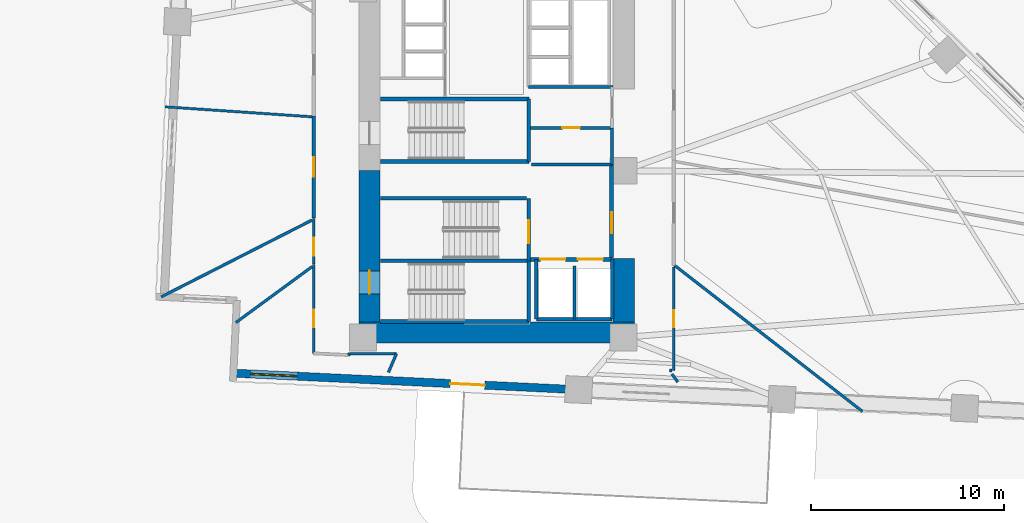
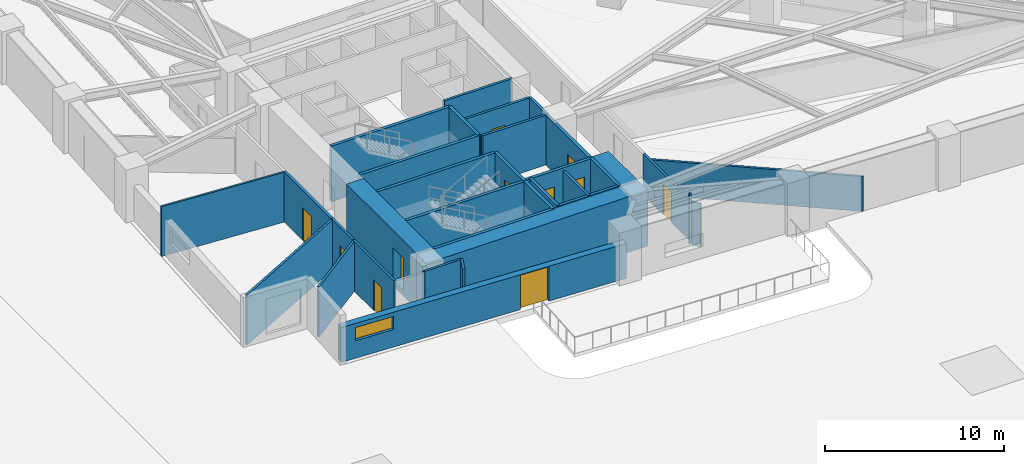
# One storey, part 14 of 19: 35 walls, 11 doors, 1 window, 12 openings.
"""IFC4 building model written with IfcOpenShell, lengths in metres."""

from ifc_helpers import new_model, si_unit, direction, frame, frame_2d, origin, place, context, subcontext, project, spatial, rectangle, extrude, material, layer, layer_set, type_object, element, fill, save


model = new_model("IFC4")

# Units and contexts
model_context = context("Model", 3, precision=1e-05, world=origin(), true_north=direction((0.0, 1.0)))
body_context = subcontext(model_context, "Body", "Model", "MODEL_VIEW")
ifc_project = project(units=[si_unit("LENGTHUNIT", "METRE"), si_unit("AREAUNIT", "SQUARE_METRE"), si_unit("VOLUMEUNIT", "CUBIC_METRE"), si_unit("PLANEANGLEUNIT", "RADIAN"), si_unit("MASSUNIT", "GRAM", prefix="KILO")], contexts=[model_context])

# Site, building, storey
site_placement = place(None, origin())
site = spatial("IfcSite", under=ifc_project, at=site_placement, CompositionType="ELEMENT")
building_placement = place(site_placement, origin())
building = spatial("IfcBuilding", under=site, at=building_placement, Name="Narakoshi Arena Tower", CompositionType="ELEMENT")
storey_placement = place(building_placement, frame((0.0, 0.0, 26.699951171875)))
storey = spatial("IfcBuildingStorey", under=building, at=storey_placement, Name="L06", CompositionType="ELEMENT", Elevation=26.699951171875)

# Wall, opening, door
ifc_material_1 = material(Name="Concrete C60/75", Category="concrete")
ifc_layer_1 = layer(ifc_material_1, 1.10009765625)
ifc_layer_set_1 = layer_set([ifc_layer_1], Name="Concrete C60/75")
wall_type_1 = type_object("IfcWallType", Name="WL-CORE-1100", PredefinedType="SHEAR", material=ifc_layer_set_1)
wall_1_placement = place(storey_placement, frame((72.35009765625, 35.5, -0.39990234375), z_axis=(0.0, 0.0, 1.0), x_axis=(0.0, 1.0, 0.0)))
wall_1 = element("IfcWall", 1, at=wall_1_placement, inside=storey, type_object=wall_type_1, Name="L06 Central Core Shear Wall CW-APX-W", PredefinedType="SHEAR", context=body_context, shape_type="SweptSolid", body=[
    extrude(rectangle(XDim=7.85009765625, YDim=1.10009765625, at=frame_2d((3.925048828125, 0.0))), origin(), (0.0, 0.0, 1.0), 3.800048828125),
])
opening_1_placement = place(wall_1_placement, frame((1.449951171875, 0.0, 0.39990234375)))
opening_1 = element("IfcOpeningElement", 2, at=opening_1_placement, cuts=wall_1, Name="Opening D-03", PredefinedType="OPENING", context=body_context, shape_type="SweptSolid", body=[
    extrude(rectangle(XDim=1.199951171875, YDim=2.199951171875, at=frame_2d((0.60009765625, 1.10009765625))), frame((0.0, 0.56005859375, 0.0), z_axis=(0.0, -1.0, 0.0), x_axis=(1.0, 0.0, 0.0)), (0.0, 0.0, 1.0), 1.1201171875),
])
ifc_material_2 = material(Name="Painted galvanized steel", Category="steel")
door_type_1 = type_object("IfcDoorType", Name="DR-STR-1200", OperationType="NOTDEFINED", PredefinedType="USERDEFINED", material=ifc_material_2)
door_1_placement = place(opening_1_placement, frame((1.199951171875, 0.0, 0.0), z_axis=(0.0, 0.0, 1.0), x_axis=(-1.0, 0.0, 0.0)))
door_1 = element("IfcDoor", 3, at=door_1_placement, inside=storey, type_object=door_type_1, Name="DR-L06-002", ObjectType="EXITDOOR", OperationType="SINGLE_SWING_LEFT", OverallHeight=2.199951171875, OverallWidth=1.199951171875, PredefinedType="USERDEFINED", context=body_context, shape_type="SweptSolid", body=[
    extrude(rectangle(XDim=1.199951171875, YDim=2.199951171875, at=frame_2d((0.60009765625, 1.10009765625))), frame((0.0, 0.02490234375, 0.0), z_axis=(0.0, -1.0, 0.0), x_axis=(1.0, 0.0, 0.0)), (0.0, 0.0, 1.0), 0.050048828125),
])
fill(opening_1, door_1)

# Walls
wall_2_placement = place(storey_placement, frame((71.800048828125, 34.949951171875, -0.39990234375), z_axis=(0.0, 0.0, 1.0), x_axis=(1.0, 0.0, 0.0)))
element("IfcWall", 4, at=wall_2_placement, inside=storey, type_object=wall_type_1, Name="L06 Central Core Shear Wall CW-APX-S", PredefinedType="SHEAR", context=body_context, shape_type="SweptSolid", body=[
    extrude(rectangle(XDim=14.300048828125, YDim=1.10009765625, at=frame_2d((7.14990234375, 0.0))), origin(), (0.0, 0.0, 1.0), 3.800048828125),
])
wall_3_placement = place(storey_placement, frame((85.550048828125, 35.5, -0.39990234375), z_axis=(0.0, 0.0, 1.0), x_axis=(0.0, 1.0, 0.0)))
element("IfcWall", 5, at=wall_3_placement, inside=storey, type_object=wall_type_1, Name="L06 Central Core Shear Wall CW-APX-E", PredefinedType="SHEAR", context=body_context, shape_type="SweptSolid", body=[
    extrude(rectangle(XDim=3.300048828125, YDim=1.10009765625, at=frame_2d((1.64990234375, 0.0))), origin(), (0.0, 0.0, 1.0), 3.800048828125),
])

# Wall, opening, door
ifc_material_3 = material(Name="Gypsum plasterboard fire-rated partition")
ifc_layer_2 = layer(ifc_material_3, 0.1650390625)
ifc_layer_set_2 = layer_set([ifc_layer_2], Name="Gypsum plasterboard fire-rated partition")
wall_type_2 = type_object("IfcWallType", Name="WL-CORR-165", PredefinedType="PARTITIONING", material=ifc_layer_set_2)
wall_4_placement = place(storey_placement, frame((69.449951171875, 46.18115234375, 0.0), z_axis=(0.0, 0.0, 1.0), x_axis=(0.0, -1.0, 0.0)))
wall_4 = element("IfcWall", 6, at=wall_4_placement, inside=storey, type_object=wall_type_2, Name="L06 Corridor Partition 08-1", PredefinedType="PARTITIONING", context=body_context, shape_type="SweptSolid", body=[
    extrude(rectangle(XDim=5.283447265625, YDim=0.1650390625, at=frame_2d((2.6416015625, 0.0))), origin(), (0.0, 0.0, 1.0), 3.400146484375),
])
opening_2_placement = place(wall_4_placement, frame((2.1416015625, 0.0, 0.0)))
opening_2 = element("IfcOpeningElement", 7, at=opening_2_placement, cuts=wall_4, Name="Opening D-06", PredefinedType="OPENING", context=body_context, shape_type="SweptSolid", body=[
    extrude(rectangle(XDim=1.0, YDim=2.199951171875, at=frame_2d((0.5, 1.10009765625))), frame((0.0, 0.092529296875, 0.0), z_axis=(0.0, -1.0, 0.0), x_axis=(1.0, 0.0, 0.0)), (0.0, 0.0, 1.0), 0.18505859375),
])
ifc_material_4 = material(Name="Stained oak solid-core timber", Category="wood")
door_type_2 = type_object("IfcDoorType", Name="DR-OFF-1000", OperationType="NOTDEFINED", PredefinedType="DOOR", material=ifc_material_4)
door_2_placement = place(opening_2_placement, frame((1.0, 0.0, 0.0), z_axis=(0.0, 0.0, 1.0), x_axis=(-1.0, 0.0, 0.0)))
door_2 = element("IfcDoor", 8, at=door_2_placement, inside=storey, type_object=door_type_2, Name="DR-L06-021", OperationType="SINGLE_SWING_LEFT", OverallHeight=2.199951171875, OverallWidth=1.0, PredefinedType="DOOR", context=body_context, shape_type="SweptSolid", body=[
    extrude(rectangle(XDim=1.0, YDim=2.199951171875, at=frame_2d((0.5, 1.10009765625))), frame((0.0, 0.02490234375, 0.0), z_axis=(0.0, -1.0, 0.0), x_axis=(1.0, 0.0, 0.0)), (0.0, 0.0, 1.0), 0.050048828125),
])
fill(opening_2, door_2)

# Wall
ifc_layer_3 = layer(ifc_material_3, 0.125)
ifc_layer_set_3 = layer_set([ifc_layer_3], Name="Gypsum plasterboard fire-rated partition")
wall_type_3 = type_object("IfcWallType", Name="WL-PART-125", PredefinedType="PARTITIONING", material=ifc_layer_set_3)
wall_5_placement = place(storey_placement, frame((61.739990234375, 46.6689453125, 0.0), z_axis=(0.0, 0.0, 1.0), x_axis=(0.997700583313, -0.067775704037, 0.0)))
element("IfcWall", 9, at=wall_5_placement, inside=storey, type_object=wall_type_3, Name="L06 Inter-Room Partition 08-09", PredefinedType="PARTITIONING", context=body_context, shape_type="SweptSolid", body=[
    extrude(rectangle(XDim=7.633056640625, YDim=0.125, at=frame_2d((3.81640625, 0.0))), origin(), (0.0, 0.0, 1.0), 3.400146484375),
])

# Wall, openings, door, window
ifc_material_5 = material(Name="Precast concrete C45/55", Category="concrete")
ifc_layer_4 = layer(ifc_material_5, 0.419921875)
ifc_layer_set_4 = layer_set([ifc_layer_4], Name="Precast concrete C45/55")
wall_type_4 = type_object("IfcWallType", Name="WL-POD-420", PredefinedType="SOLIDWALL", material=ifc_layer_set_4)
wall_6_placement = place(storey_placement, frame((65.28076171875, 32.840576171875, 0.0), z_axis=(0.0, 0.0, 1.0), x_axis=(0.998848298084, -0.047979968897, 0.0)))
wall_6 = element("IfcWall", 10, at=wall_6_placement, inside=storey, type_object=wall_type_4, Name="L06 Architectural Concrete Facade Wall LEGA-1", PredefinedType="SOLIDWALL", context=body_context, shape_type="SweptSolid", body=[
    extrude(rectangle(XDim=17.951904296875, YDim=0.419921875, at=frame_2d((8.97607421875, 0.0))), origin(), (0.0, 0.0, 1.0), 2.385009765625),
])
opening_3_placement = place(wall_6_placement, frame((11.27587890625, 0.0, 0.0)))
opening_3 = element("IfcOpeningElement", 11, at=opening_3_placement, cuts=wall_6, Name="Opening D-11", PredefinedType="OPENING", context=body_context, shape_type="SweptSolid", body=[
    extrude(rectangle(XDim=1.800048828125, YDim=2.35009765625, at=frame_2d((0.89990234375, 1.175048828125))), frame((0.0, 0.219970703125, 0.0), z_axis=(0.0, -1.0, 0.0), x_axis=(1.0, 0.0, 0.0)), (0.0, 0.0, 1.0), 0.43994140625),
])
opening_4_placement = place(wall_6_placement, frame((0.89990234375, 0.0, 1.199951171875)))
opening_4 = element("IfcOpeningElement", 12, at=opening_4_placement, cuts=wall_6, Name="Opening WN-01", PredefinedType="OPENING", context=body_context, shape_type="SweptSolid", body=[
    extrude(rectangle(XDim=2.39990234375, YDim=0.89990234375, at=frame_2d((1.199951171875, 0.449951171875))), frame((0.0, 0.219970703125, 0.0), z_axis=(0.0, -1.0, 0.0), x_axis=(1.0, 0.0, 0.0)), (0.0, 0.0, 1.0), 0.43994140625),
])
ifc_material_6 = material(Name="Anodised bronze aluminium 6063-T6", Category="aluminium")
door_type_3 = type_object("IfcDoorType", Name="DR-TER-1800", OperationType="DOUBLE_DOOR_SLIDING", PredefinedType="DOOR", material=ifc_material_6)
door_3_placement = place(opening_3_placement, origin())
door_3 = element("IfcDoor", 13, at=door_3_placement, inside=storey, type_object=door_type_3, Name="DR-L06-001", OperationType="DOUBLE_DOOR_SLIDING", OverallHeight=2.35009765625, OverallWidth=1.800048828125, PredefinedType="DOOR", context=body_context, shape_type="SweptSolid", body=[
    extrude(rectangle(XDim=1.800048828125, YDim=2.35009765625, at=frame_2d((0.89990234375, 1.175048828125))), frame((0.0, 0.02490234375, 0.0), z_axis=(0.0, -1.0, 0.0), x_axis=(1.0, 0.0, 0.0)), (0.0, 0.0, 1.0), 0.050048828125),
])
fill(opening_3, door_3)
ifc_material_7 = material(Name="Bronze-tinted low-E laminated glass", Category="glass")
window_type = type_object("IfcWindowType", Name="WIN-SLT-24x09", PartitioningType="SINGLE_PANEL", PredefinedType="WINDOW", material=ifc_material_7)
window_placement = place(opening_4_placement, origin())
window = element("IfcWindow", 14, at=window_placement, inside=storey, type_object=window_type, Name="L06 LEGA1 Horizontal Slot Window 1", OverallHeight=0.89990234375, OverallWidth=2.39990234375, PartitioningType="SINGLE_PANEL", PredefinedType="WINDOW", context=body_context, shape_type="SweptSolid", body=[
    extrude(rectangle(XDim=2.39990234375, YDim=0.89990234375, at=frame_2d((1.199951171875, 0.449951171875))), frame((0.0, 0.030029296875, 0.0), z_axis=(0.0, -1.0, 0.0), x_axis=(1.0, 0.0, 0.0)), (0.0, 0.0, 1.0), 0.06005859375),
])
fill(opening_4, window)

# Walls
ifc_material_8 = material(Name="Concrete C40/50", Category="concrete")
ifc_layer_5 = layer(ifc_material_8, 0.280029296875)
ifc_layer_set_5 = layer_set([ifc_layer_5], Name="Concrete C40/50")
wall_type_5 = type_object("IfcWallType", Name="WL-RISER-280", PredefinedType="PLUMBINGWALL", material=ifc_layer_set_5)
wall_7_placement = place(storey_placement, frame((83.0, 35.64990234375, 0.0), z_axis=(0.0, 0.0, 1.0), x_axis=(0.0, 1.0, 0.0)))
element("IfcWall", 15, at=wall_7_placement, inside=storey, type_object=wall_type_5, Name="L06 Core Wall FF-DIV", PredefinedType="PLUMBINGWALL", context=body_context, shape_type="SweptSolid", body=[
    extrude(rectangle(XDim=2.75, YDim=0.159912109375, at=frame_2d((1.375, 0.0))), origin(), (0.0, 0.0, 1.0), 3.400146484375),
])
wall_8_placement = place(storey_placement, frame((84.949951171875, 43.679931640625, 0.0), z_axis=(0.0, 0.0, 1.0), x_axis=(0.0, 1.0, 0.0)))
element("IfcWall", 16, at=wall_8_placement, inside=storey, type_object=wall_type_5, Name="L06 Core Wall RSR-E", PredefinedType="PLUMBINGWALL", context=body_context, shape_type="SweptSolid", body=[
    extrude(rectangle(XDim=1.900146484375, YDim=0.1650390625, at=frame_2d((0.9501953125, 0.0))), origin(), (0.0, 0.0, 1.0), 3.400146484375),
])

# Wall, opening, door
wall_9_placement = place(storey_placement, frame((80.719970703125, 45.580078125, 0.0), z_axis=(0.0, 0.0, 1.0), x_axis=(1.0, 0.0, 0.0)))
wall_9 = element("IfcWall", 17, at=wall_9_placement, inside=storey, type_object=wall_type_5, Name="L06 Core Wall RSR-N", PredefinedType="PLUMBINGWALL", context=body_context, shape_type="SweptSolid", body=[
    extrude(rectangle(XDim=4.22998046875, YDim=0.159912109375, at=frame_2d((2.114990234375, 0.0))), origin(), (0.0, 0.0, 1.0), 3.400146484375),
])
opening_5_placement = place(wall_9_placement, frame((1.64990234375, 0.0, 0.0)))
opening_5 = element("IfcOpeningElement", 18, at=opening_5_placement, cuts=wall_9, Name="Opening D-08", PredefinedType="OPENING", context=body_context, shape_type="SweptSolid", body=[
    extrude(rectangle(XDim=0.89990234375, YDim=2.10009765625, at=frame_2d((0.449951171875, 1.050048828125))), frame((0.0, 0.08984375, 0.0), z_axis=(0.0, -1.0, 0.0), x_axis=(1.0, 0.0, 0.0)), (0.0, 0.0, 1.0), 0.179931640625),
])
ifc_material_9 = material(Name="Moisture-resistant laminate timber", Category="wood")
door_type_4 = type_object("IfcDoorType", Name="DR-WC-900", OperationType="NOTDEFINED", PredefinedType="DOOR", material=ifc_material_9)
door_4_placement = place(opening_5_placement, frame((0.89990234375, 0.0, 0.0), z_axis=(0.0, 0.0, 1.0), x_axis=(-1.0, 0.0, 0.0)))
door_4 = element("IfcDoor", 19, at=door_4_placement, inside=storey, type_object=door_type_4, Name="DR-L06-009", OperationType="SINGLE_SWING_LEFT", OverallHeight=2.10009765625, OverallWidth=0.89990234375, PredefinedType="DOOR", context=body_context, shape_type="SweptSolid", body=[
    extrude(rectangle(XDim=0.89990234375, YDim=2.10009765625, at=frame_2d((0.449951171875, 1.050048828125))), frame((0.0, 0.02490234375, 0.0), z_axis=(0.0, -1.0, 0.0), x_axis=(1.0, 0.0, 0.0)), (0.0, 0.0, 1.0), 0.050048828125),
])
fill(opening_5, door_4)

# Walls
wall_10_placement = place(storey_placement, frame((80.760009765625, 43.679931640625, 0.0), z_axis=(0.0, 0.0, 1.0), x_axis=(1.0, 0.0, 0.0)))
element("IfcWall", 20, at=wall_10_placement, inside=storey, type_object=wall_type_5, Name="L06 Core Wall RSR-S", PredefinedType="PLUMBINGWALL", context=body_context, shape_type="SweptSolid", body=[
    extrude(rectangle(XDim=4.18994140625, YDim=0.159912109375, at=frame_2d((2.094970703125, 0.0))), origin(), (0.0, 0.0, 1.0), 3.400146484375),
])
ifc_material_10 = material(Name="Concrete C50/60", Category="concrete")
ifc_layer_6 = layer(ifc_material_10, 0.35009765625)
ifc_layer_set_6 = layer_set([ifc_layer_6], Name="Concrete C50/60")
wall_type_6 = type_object("IfcWallType", Name="WL-SHAFT-350", PredefinedType="SOLIDWALL", material=ifc_layer_set_6)
for number, where, z_axis, x_axis, name in (
    (21, (72.919921875, 35.52001953125, -0.39990234375), (0.0, 0.0, 1.0), (1.0, 0.0, 0.0), "L06 Core Wall ST1-S"),
    (22, (72.919921875, 38.675048828125, -0.39990234375), (0.0, 0.0, 1.0), (1.0, 0.0, 0.0), "L06 Core Wall ST12-DIV"),
):
    element("IfcWall", number, at=place(storey_placement, frame(where, z_axis=z_axis, x_axis=x_axis)), inside=storey, type_object=wall_type_6, Name=name, PredefinedType="SOLIDWALL", context=body_context, shape_type="SweptSolid", body=[
        extrude(rectangle(XDim=7.7001953125, YDim=0.199951171875, at=frame_2d((3.85009765625, 0.0))), origin(), (0.0, 0.0, 1.0), 3.800048828125),
    ])
wall_11_placement = place(storey_placement, frame((80.6201171875, 35.52001953125, -0.39990234375), z_axis=(0.0, 0.0, 1.0), x_axis=(0.0, 1.0, 0.0)))
element("IfcWall", 23, at=wall_11_placement, inside=storey, type_object=wall_type_6, Name="L06 Core Wall ST1-E", PredefinedType="SOLIDWALL", context=body_context, shape_type="SweptSolid", body=[
    extrude(rectangle(XDim=3.155029296875, YDim=0.199951171875, at=frame_2d((1.57763671875, 0.0))), origin(), (0.0, 0.0, 1.0), 3.800048828125),
])

# Wall, opening, door
wall_12_placement = place(storey_placement, frame((80.6201171875, 38.675048828125, -0.39990234375), z_axis=(0.0, 0.0, 1.0), x_axis=(0.0, 1.0, 0.0)))
wall_12 = element("IfcWall", 24, at=wall_12_placement, inside=storey, type_object=wall_type_6, Name="L06 Core Wall ST2-E", PredefinedType="SOLIDWALL", context=body_context, shape_type="SweptSolid", body=[
    extrude(rectangle(XDim=3.244873046875, YDim=0.199951171875, at=frame_2d((1.62255859375, 0.0))), origin(), (0.0, 0.0, 1.0), 3.800048828125),
])
opening_6_placement = place(wall_12_placement, frame((0.89990234375, 0.0, 0.39990234375)))
opening_6 = element("IfcOpeningElement", 25, at=opening_6_placement, cuts=wall_12, Name="Opening D-03", PredefinedType="OPENING", context=body_context, shape_type="SweptSolid", body=[
    extrude(rectangle(XDim=1.199951171875, YDim=2.199951171875, at=frame_2d((0.60009765625, 1.10009765625))), frame((0.0, 0.10986328125, 0.0), z_axis=(0.0, -1.0, 0.0), x_axis=(1.0, 0.0, 0.0)), (0.0, 0.0, 1.0), 0.219970703125),
])
door_5_placement = place(opening_6_placement, origin())
door_5 = element("IfcDoor", 26, at=door_5_placement, inside=storey, type_object=door_type_1, Name="DR-L06-003", ObjectType="EXITDOOR", OperationType="SINGLE_SWING_RIGHT", OverallHeight=2.199951171875, OverallWidth=1.199951171875, PredefinedType="USERDEFINED", context=body_context, shape_type="SweptSolid", body=[
    extrude(rectangle(XDim=1.199951171875, YDim=2.199951171875, at=frame_2d((0.60009765625, 1.10009765625))), frame((0.0, 0.02490234375, 0.0), z_axis=(0.0, -1.0, 0.0), x_axis=(1.0, 0.0, 0.0)), (0.0, 0.0, 1.0), 0.050048828125),
])
fill(opening_6, door_5)

# Wall, openings, doors
wall_13_placement = place(storey_placement, frame((80.719970703125, 38.75, 0.0), z_axis=(0.0, 0.0, 1.0), x_axis=(1.0, 0.0, 0.0)))
wall_13 = element("IfcWall", 27, at=wall_13_placement, inside=storey, type_object=wall_type_6, Name="L06 Core Wall FF-N", PredefinedType="SOLIDWALL", context=body_context, shape_type="SweptSolid", body=[
    extrude(rectangle(XDim=4.260009765625, YDim=0.199951171875, at=frame_2d((2.1298828125, 0.0))), origin(), (0.0, 0.0, 1.0), 3.400146484375),
])
opening_7_placement = place(wall_13_placement, frame((0.5, 0.0, 0.0)))
opening_7 = element("IfcOpeningElement", 28, at=opening_7_placement, cuts=wall_13, Name="Opening LD-02", PredefinedType="OPENING", context=body_context, shape_type="SweptSolid", body=[
    extrude(rectangle(XDim=1.300048828125, YDim=2.300048828125, at=frame_2d((0.64990234375, 1.14990234375))), frame((0.0, 0.10986328125, 0.0), z_axis=(0.0, -1.0, 0.0), x_axis=(1.0, 0.0, 0.0)), (0.0, 0.0, 1.0), 0.219970703125),
])
opening_8_placement = place(wall_13_placement, frame((2.449951171875, 0.0, 0.0)))
opening_8 = element("IfcOpeningElement", 29, at=opening_8_placement, cuts=wall_13, Name="Opening LD-02", PredefinedType="OPENING", context=body_context, shape_type="SweptSolid", body=[
    extrude(rectangle(XDim=1.300048828125, YDim=2.300048828125, at=frame_2d((0.64990234375, 1.14990234375))), frame((0.0, 0.10986328125, 0.0), z_axis=(0.0, -1.0, 0.0), x_axis=(1.0, 0.0, 0.0)), (0.0, 0.0, 1.0), 0.219970703125),
])
ifc_material_11 = material(Name="Brushed bronze stainless steel", Category="steel")
door_type_5 = type_object("IfcDoorType", Name="DR-LFT-1300", OperationType="DOUBLE_DOOR_SLIDING", PredefinedType="DOOR", material=ifc_material_11)
door_6_placement = place(opening_7_placement, origin())
door_6 = element("IfcDoor", 30, at=door_6_placement, inside=storey, type_object=door_type_5, Name="DR-L06-004", OperationType="DOUBLE_DOOR_SLIDING", OverallHeight=2.300048828125, OverallWidth=1.300048828125, PredefinedType="DOOR", context=body_context, shape_type="SweptSolid", body=[
    extrude(rectangle(XDim=1.300048828125, YDim=2.300048828125, at=frame_2d((0.64990234375, 1.14990234375))), frame((0.0, 0.02490234375, 0.0), z_axis=(0.0, -1.0, 0.0), x_axis=(1.0, 0.0, 0.0)), (0.0, 0.0, 1.0), 0.050048828125),
])
fill(opening_7, door_6)
door_7_placement = place(opening_8_placement, origin())
door_7 = element("IfcDoor", 31, at=door_7_placement, inside=storey, type_object=door_type_5, Name="DR-L06-005", OperationType="DOUBLE_DOOR_SLIDING", OverallHeight=2.300048828125, OverallWidth=1.300048828125, PredefinedType="DOOR", context=body_context, shape_type="SweptSolid", body=[
    extrude(rectangle(XDim=1.300048828125, YDim=2.300048828125, at=frame_2d((0.64990234375, 1.14990234375))), frame((0.0, 0.02490234375, 0.0), z_axis=(0.0, -1.0, 0.0), x_axis=(1.0, 0.0, 0.0)), (0.0, 0.0, 1.0), 0.050048828125),
])
fill(opening_8, door_7)

# Walls
for number, where, z_axis, x_axis, name in (
    (32, (84.949951171875, 35.64990234375, 0.0), (0.0, 0.0, 1.0), (0.0, 1.0, 0.0), "L06 Core Wall FF-E"),
    (33, (81.02001953125, 35.64990234375, 0.0), (0.0, 0.0, 1.0), (0.0, 1.0, 0.0), "L06 Core Wall FF-W"),
):
    element("IfcWall", number, at=place(storey_placement, frame(where, z_axis=z_axis, x_axis=x_axis)), inside=storey, type_object=wall_type_6, Name=name, PredefinedType="SOLIDWALL", context=body_context, shape_type="SweptSolid", body=[
        extrude(rectangle(XDim=3.10009765625, YDim=0.179931640625, at=frame_2d((1.550048828125, 0.0))), origin(), (0.0, 0.0, 1.0), 3.400146484375),
    ])
wall_14_placement = place(storey_placement, frame((81.02001953125, 35.64990234375, 0.0), z_axis=(0.0, 0.0, 1.0), x_axis=(1.0, 0.0, 0.0)))
element("IfcWall", 34, at=wall_14_placement, inside=storey, type_object=wall_type_6, Name="L06 Core Wall FF-S", PredefinedType="SOLIDWALL", context=body_context, shape_type="SweptSolid", body=[
    extrude(rectangle(XDim=3.929931640625, YDim=0.179931640625, at=frame_2d((1.96484375, 0.0))), origin(), (0.0, 0.0, 1.0), 3.400146484375),
])

# Wall, opening, door
wall_15_placement = place(storey_placement, frame((84.919921875, 38.85009765625, 0.0), z_axis=(0.0, 0.0, 1.0), x_axis=(0.0, 1.0, 0.0)))
wall_15 = element("IfcWall", 35, at=wall_15_placement, inside=storey, type_object=wall_type_6, Name="L06 Core Wall FFLOB-E", PredefinedType="SOLIDWALL", context=body_context, shape_type="SweptSolid", body=[
    extrude(rectangle(XDim=4.829833984375, YDim=0.199951171875, at=frame_2d((2.4150390625, 0.0))), origin(), (0.0, 0.0, 1.0), 3.400146484375),
])
opening_9_placement = place(wall_15_placement, frame((1.25, 0.0, 0.0)))
opening_9 = element("IfcOpeningElement", 36, at=opening_9_placement, cuts=wall_15, Name="Opening D-04", PredefinedType="OPENING", context=body_context, shape_type="SweptSolid", body=[
    extrude(rectangle(XDim=1.10009765625, YDim=2.199951171875, at=frame_2d((0.550048828125, 1.10009765625))), frame((0.0, 0.10986328125, 0.0), z_axis=(0.0, -1.0, 0.0), x_axis=(1.0, 0.0, 0.0)), (0.0, 0.0, 1.0), 0.219970703125),
])
door_type_6 = type_object("IfcDoorType", Name="DR-FFL-1100", OperationType="NOTDEFINED", PredefinedType="DOOR", material=ifc_material_2)
door_8_placement = place(opening_9_placement, frame((1.10009765625, 0.0, 0.0), z_axis=(0.0, 0.0, 1.0), x_axis=(-1.0, 0.0, 0.0)))
door_8 = element("IfcDoor", 37, at=door_8_placement, inside=storey, type_object=door_type_6, Name="DR-L06-006", OperationType="SINGLE_SWING_RIGHT", OverallHeight=2.199951171875, OverallWidth=1.10009765625, PredefinedType="DOOR", context=body_context, shape_type="SweptSolid", body=[
    extrude(rectangle(XDim=1.10009765625, YDim=2.199951171875, at=frame_2d((0.550048828125, 1.10009765625))), frame((0.0, 0.02490234375, 0.0), z_axis=(0.0, -1.0, 0.0), x_axis=(1.0, 0.0, 0.0)), (0.0, 0.0, 1.0), 0.050048828125),
])
fill(opening_9, door_8)

# Walls
wall_16_placement = place(storey_placement, frame((72.919921875, 41.919921875, -0.39990234375), z_axis=(0.0, 0.0, 1.0), x_axis=(1.0, 0.0, 0.0)))
element("IfcWall", 38, at=wall_16_placement, inside=storey, type_object=wall_type_6, Name="L06 Core Wall ST2-N", PredefinedType="SOLIDWALL", context=body_context, shape_type="SweptSolid", body=[
    extrude(rectangle(XDim=7.580078125, YDim=0.199951171875, at=frame_2d((3.7900390625, 0.0))), origin(), (0.0, 0.0, 1.0), 3.800048828125),
])
for number, where, z_axis, x_axis, name in (
    (39, (72.919921875, 43.830078125, -0.39990234375), (0.0, 0.0, 1.0), (1.0, 0.0, 0.0), "L06 Core Wall ST3-S"),
    (40, (72.919921875, 47.070068359375, -0.39990234375), (0.0, 0.0, 1.0), (1.0, 0.0, 0.0), "L06 Core Wall ST3-N"),
):
    element("IfcWall", number, at=place(storey_placement, frame(where, z_axis=z_axis, x_axis=x_axis)), inside=storey, type_object=wall_type_6, Name=name, PredefinedType="SOLIDWALL", context=body_context, shape_type="SweptSolid", body=[
        extrude(rectangle(XDim=7.7001953125, YDim=0.199951171875, at=frame_2d((3.85009765625, 0.0))), origin(), (0.0, 0.0, 1.0), 3.800048828125),
    ])
wall_17_placement = place(storey_placement, frame((80.6201171875, 43.830078125, -0.39990234375), z_axis=(0.0, 0.0, 1.0), x_axis=(0.0, 1.0, 0.0)))
element("IfcWall", 41, at=wall_17_placement, inside=storey, type_object=wall_type_6, Name="L06 Core Wall ST3-E", PredefinedType="SOLIDWALL", context=body_context, shape_type="SweptSolid", body=[
    extrude(rectangle(XDim=3.239990234375, YDim=0.199951171875, at=frame_2d((1.6201171875, 0.0))), origin(), (0.0, 0.0, 1.0), 3.800048828125),
])
wall_18_placement = place(storey_placement, frame((80.60009765625, 47.699951171875, 0.0), z_axis=(0.0, 0.0, 1.0), x_axis=(1.0, 0.0, 0.0)))
element("IfcWall", 42, at=wall_18_placement, inside=storey, type_object=wall_type_6, Name="L06 Core Wall MR-S", PredefinedType="SOLIDWALL", context=body_context, shape_type="SweptSolid", body=[
    extrude(rectangle(XDim=4.39990234375, YDim=0.159912109375, at=frame_2d((2.199951171875, 0.0))), origin(), (0.0, 0.0, 1.0), 3.400146484375),
])

# Wall, opening, door
ifc_material_12 = material(Name="Moisture-resistant cement-board partition")
ifc_layer_7 = layer(ifc_material_12, 0.14501953125)
ifc_layer_set_7 = layer_set([ifc_layer_7], Name="Moisture-resistant cement-board partition")
wall_type_7 = type_object("IfcWallType", Name="WL-WET-145", PredefinedType="PARTITIONING", material=ifc_layer_set_7)
wall_19_placement = place(storey_placement, frame((69.449951171875, 38.474365234375, 0.0), z_axis=(0.0, 0.0, 1.0), x_axis=(0.0, -1.0, 0.0)))
wall_19 = element("IfcWall", 43, at=wall_19_placement, inside=storey, type_object=wall_type_7, Name="L06 Corridor Partition 01-1", PredefinedType="PARTITIONING", context=body_context, shape_type="SweptSolid", body=[
    extrude(rectangle(XDim=4.607666015625, YDim=0.14501953125, at=frame_2d((2.3037109375, 0.0))), origin(), (0.0, 0.0, 1.0), 3.400146484375),
])
opening_10_placement = place(wall_19_placement, frame((2.349853515625, 0.0, 0.0)))
opening_10 = element("IfcOpeningElement", 44, at=opening_10_placement, cuts=wall_19, Name="Opening D-08", PredefinedType="OPENING", context=body_context, shape_type="SweptSolid", body=[
    extrude(rectangle(XDim=0.89990234375, YDim=2.10009765625, at=frame_2d((0.449951171875, 1.050048828125))), frame((0.0, 0.08251953125, 0.0), z_axis=(0.0, -1.0, 0.0), x_axis=(1.0, 0.0, 0.0)), (0.0, 0.0, 1.0), 0.1650390625),
])
door_9_placement = place(opening_10_placement, frame((0.89990234375, 0.0, 0.0), z_axis=(0.0, 0.0, 1.0), x_axis=(-1.0, 0.0, 0.0)))
door_9 = element("IfcDoor", 45, at=door_9_placement, inside=storey, type_object=door_type_4, Name="DR-L06-014", OperationType="SINGLE_SWING_RIGHT", OverallHeight=2.10009765625, OverallWidth=0.89990234375, PredefinedType="DOOR", context=body_context, shape_type="SweptSolid", body=[
    extrude(rectangle(XDim=0.89990234375, YDim=2.10009765625, at=frame_2d((0.449951171875, 1.050048828125))), frame((0.0, 0.02490234375, 0.0), z_axis=(0.0, -1.0, 0.0), x_axis=(1.0, 0.0, 0.0)), (0.0, 0.0, 1.0), 0.050048828125),
])
fill(opening_10, door_9)

# Walls
wall_20_placement = place(storey_placement, frame((71.25, 33.7802734375, 0.0), z_axis=(0.0, 0.0, 1.0), x_axis=(0.652100218984, 0.758132774916, 0.0)))
element("IfcWall", 46, at=wall_20_placement, inside=storey, type_object=wall_type_7, Name="L06 Corridor Partition 01-3", PredefinedType="PARTITIONING", context=body_context, shape_type="SweptSolid", body=[
    extrude(rectangle(XDim=0.092041015625, YDim=0.14501953125, at=frame_2d((0.0458984375, 0.0))), origin(), (0.0, 0.0, 1.0), 3.400146484375),
])
wall_21_placement = place(storey_placement, frame((65.40673828125, 35.464111328125, 0.0), z_axis=(0.0, 0.0, 1.0), x_axis=(0.806404995856, 0.591363663628, 0.0)))
element("IfcWall", 47, at=wall_21_placement, inside=storey, type_object=wall_type_7, Name="L06 Inter-Room Partition 01-02", PredefinedType="PARTITIONING", context=body_context, shape_type="SweptSolid", body=[
    extrude(rectangle(XDim=4.9091796875, YDim=0.14501953125, at=frame_2d((2.45458984375, 0.0))), origin(), (0.0, 0.0, 1.0), 3.400146484375),
])

# Wall, opening, door
wall_22_placement = place(storey_placement, frame((69.449951171875, 40.870849609375, 0.0), z_axis=(0.0, 0.0, 1.0), x_axis=(0.0, -1.0, 0.0)))
wall_22 = element("IfcWall", 48, at=wall_22_placement, inside=storey, type_object=wall_type_7, Name="L06 Corridor Partition 02-1", PredefinedType="PARTITIONING", context=body_context, shape_type="SweptSolid", body=[
    extrude(rectangle(XDim=2.366455078125, YDim=0.14501953125, at=frame_2d((1.18310546875, 0.0))), origin(), (0.0, 0.0, 1.0), 3.400146484375),
])
opening_11_placement = place(wall_22_placement, frame((0.99267578125, 0.0, 0.0)))
opening_11 = element("IfcOpeningElement", 49, at=opening_11_placement, cuts=wall_22, Name="Opening D-07", PredefinedType="OPENING", context=body_context, shape_type="SweptSolid", body=[
    extrude(rectangle(XDim=0.949951171875, YDim=2.14990234375, at=frame_2d((0.47509765625, 1.074951171875))), frame((0.0, 0.08251953125, 0.0), z_axis=(0.0, -1.0, 0.0), x_axis=(1.0, 0.0, 0.0)), (0.0, 0.0, 1.0), 0.1650390625),
])
door_type_7 = type_object("IfcDoorType", Name="DR-ACC-950", OperationType="NOTDEFINED", PredefinedType="DOOR", material=ifc_material_4)
door_10_placement = place(opening_11_placement, frame((0.949951171875, 0.0, 0.0), z_axis=(0.0, 0.0, 1.0), x_axis=(-1.0, 0.0, 0.0)))
door_10 = element("IfcDoor", 50, at=door_10_placement, inside=storey, type_object=door_type_7, Name="DR-L06-015", OperationType="SINGLE_SWING_RIGHT", OverallHeight=2.14990234375, OverallWidth=0.949951171875, PredefinedType="DOOR", context=body_context, shape_type="SweptSolid", body=[
    extrude(rectangle(XDim=0.949951171875, YDim=2.14990234375, at=frame_2d((0.47509765625, 1.074951171875))), frame((0.0, 0.02490234375, 0.0), z_axis=(0.0, -1.0, 0.0), x_axis=(1.0, 0.0, 0.0)), (0.0, 0.0, 1.0), 0.050048828125),
])
fill(opening_11, door_10)

# Walls
wall_23_placement = place(storey_placement, frame((61.532958984375, 36.7998046875, 0.0), z_axis=(0.0, 0.0, 1.0), x_axis=(0.891148005013, 0.453712720961, 0.0)))
element("IfcWall", 51, at=wall_23_placement, inside=storey, type_object=wall_type_7, Name="L06 Inter-Room Partition 02-08", PredefinedType="PARTITIONING", context=body_context, shape_type="SweptSolid", body=[
    extrude(rectangle(XDim=8.789306640625, YDim=0.14501953125, at=frame_2d((4.39453125, 0.0))), origin(), (0.0, 0.0, 1.0), 3.400146484375),
])
wall_24_placement = place(storey_placement, frame((97.95361328125, 30.845703125, 0.0), z_axis=(0.0, 0.0, 1.0), x_axis=(-0.789412787299, 0.613862729972, 0.0)))
element("IfcWall", 52, at=wall_24_placement, inside=storey, type_object=wall_type_7, Name="L06 Inter-Room Partition 03-04", PredefinedType="PARTITIONING", context=body_context, shape_type="SweptSolid", body=[
    extrude(rectangle(XDim=12.370361328125, YDim=0.14501953125, at=frame_2d((6.18505859375, 0.0))), origin(), (0.0, 0.0, 1.0), 2.385009765625),
])

# Wall, opening, door
wall_25_placement = place(storey_placement, frame((88.14990234375, 32.968505859375, 0.0), z_axis=(0.0, 0.0, 1.0), x_axis=(0.0, 1.0, 0.0)))
wall_25 = element("IfcWall", 53, at=wall_25_placement, inside=storey, type_object=wall_type_7, Name="L06 Corridor Partition 04-1", PredefinedType="PARTITIONING", context=body_context, shape_type="SweptSolid", body=[
    extrude(rectangle(XDim=5.3935546875, YDim=0.14501953125, at=frame_2d((2.69677734375, 0.0))), origin(), (0.0, 0.0, 1.0), 2.78515625),
])
opening_12_placement = place(wall_25_placement, frame((2.246826171875, 0.0, 0.0)))
opening_12 = element("IfcOpeningElement", 54, at=opening_12_placement, cuts=wall_25, Name="Opening D-08", PredefinedType="OPENING", context=body_context, shape_type="SweptSolid", body=[
    extrude(rectangle(XDim=0.89990234375, YDim=2.10009765625, at=frame_2d((0.449951171875, 1.050048828125))), frame((0.0, 0.08251953125, 0.0), z_axis=(0.0, -1.0, 0.0), x_axis=(1.0, 0.0, 0.0)), (0.0, 0.0, 1.0), 0.1650390625),
])
door_11_placement = place(opening_12_placement, frame((0.89990234375, 0.0, 0.0), z_axis=(0.0, 0.0, 1.0), x_axis=(-1.0, 0.0, 0.0)))
door_11 = element("IfcDoor", 55, at=door_11_placement, inside=storey, type_object=door_type_4, Name="DR-L06-017", OperationType="SINGLE_SWING_LEFT", OverallHeight=2.10009765625, OverallWidth=0.89990234375, PredefinedType="DOOR", context=body_context, shape_type="SweptSolid", body=[
    extrude(rectangle(XDim=0.89990234375, YDim=2.10009765625, at=frame_2d((0.449951171875, 1.050048828125))), frame((0.0, 0.02490234375, 0.0), z_axis=(0.0, -1.0, 0.0), x_axis=(1.0, 0.0, 0.0)), (0.0, 0.0, 1.0), 0.050048828125),
])
fill(opening_12, door_11)

# Walls
wall_26_placement = place(storey_placement, frame((87.92431640625, 32.979248046875, 0.0), z_axis=(0.0, 0.0, 1.0), x_axis=(0.998828703523, -0.048386165569, 0.0)))
element("IfcWall", 56, at=wall_26_placement, inside=storey, type_object=wall_type_7, Name="L06 Corridor Partition 04-2", PredefinedType="PARTITIONING", context=body_context, shape_type="SweptSolid", body=[
    extrude(rectangle(XDim=0.141357421875, YDim=0.14501953125, at=frame_2d((0.07080078125, 0.0))), origin(), (0.0, 0.0, 1.0), 3.400146484375),
])
wall_27_placement = place(storey_placement, frame((71.31005859375, 33.85009765625, 0.0), z_axis=(0.0, 0.0, 1.0), x_axis=(1.0, 0.0, 0.0)))
element("IfcWall", 57, at=wall_27_placement, inside=storey, type_object=wall_type_7, Name="L06 Room Enclosure Partition 01-1", PredefinedType="PARTITIONING", context=body_context, shape_type="SweptSolid", body=[
    extrude(rectangle(XDim=2.439208984375, YDim=0.14501953125, at=frame_2d((1.2197265625, 0.0))), origin(), (0.0, 0.0, 1.0), 3.400146484375),
])
wall_28_placement = place(storey_placement, frame((73.749267578125, 33.85009765625, 0.0), z_axis=(0.0, 0.0, 1.0), x_axis=(-0.394143536932, -0.919048895486, 0.0)))
element("IfcWall", 58, at=wall_28_placement, inside=storey, type_object=wall_type_7, Name="L06 Room Enclosure Partition 01-2", PredefinedType="PARTITIONING", context=body_context, shape_type="SweptSolid", body=[
    extrude(rectangle(XDim=1.05126953125, YDim=0.14501953125, at=frame_2d((0.525634765625, 0.0))), origin(), (0.0, 0.0, 1.0), 3.400146484375),
])
wall_29_placement = place(storey_placement, frame((88.3583984375, 32.377685546875, 0.0), z_axis=(0.0, 0.0, 1.0), x_axis=(-0.585265597374, 0.810841649479, 0.0)))
element("IfcWall", 59, at=wall_29_placement, inside=storey, type_object=wall_type_7, Name="L06 Room Enclosure Partition 04-1", PredefinedType="PARTITIONING", context=body_context, shape_type="SweptSolid", body=[
    extrude(rectangle(XDim=0.51513671875, YDim=0.14501953125, at=frame_2d((0.257568359375, 0.0))), origin(), (0.0, 0.0, 1.0), 2.93505859375),
])

save(model, "model.ifc")
